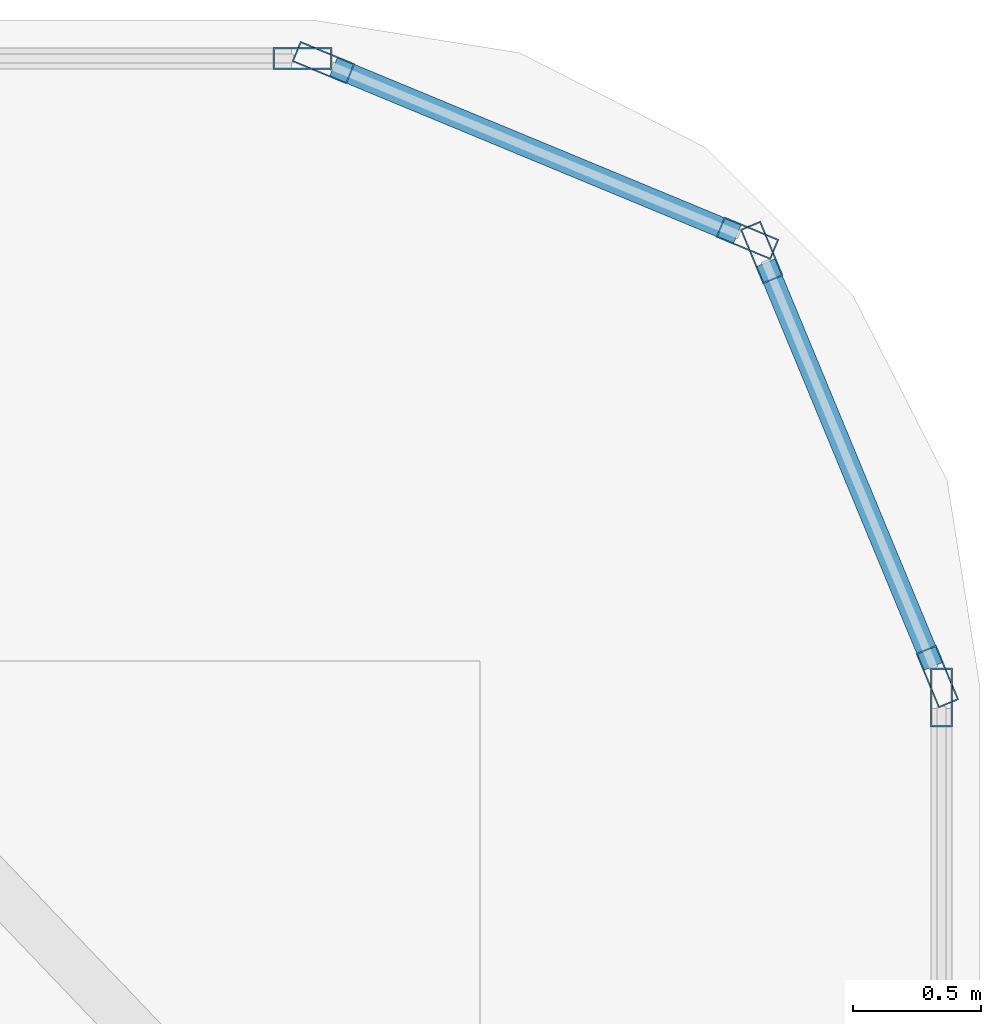
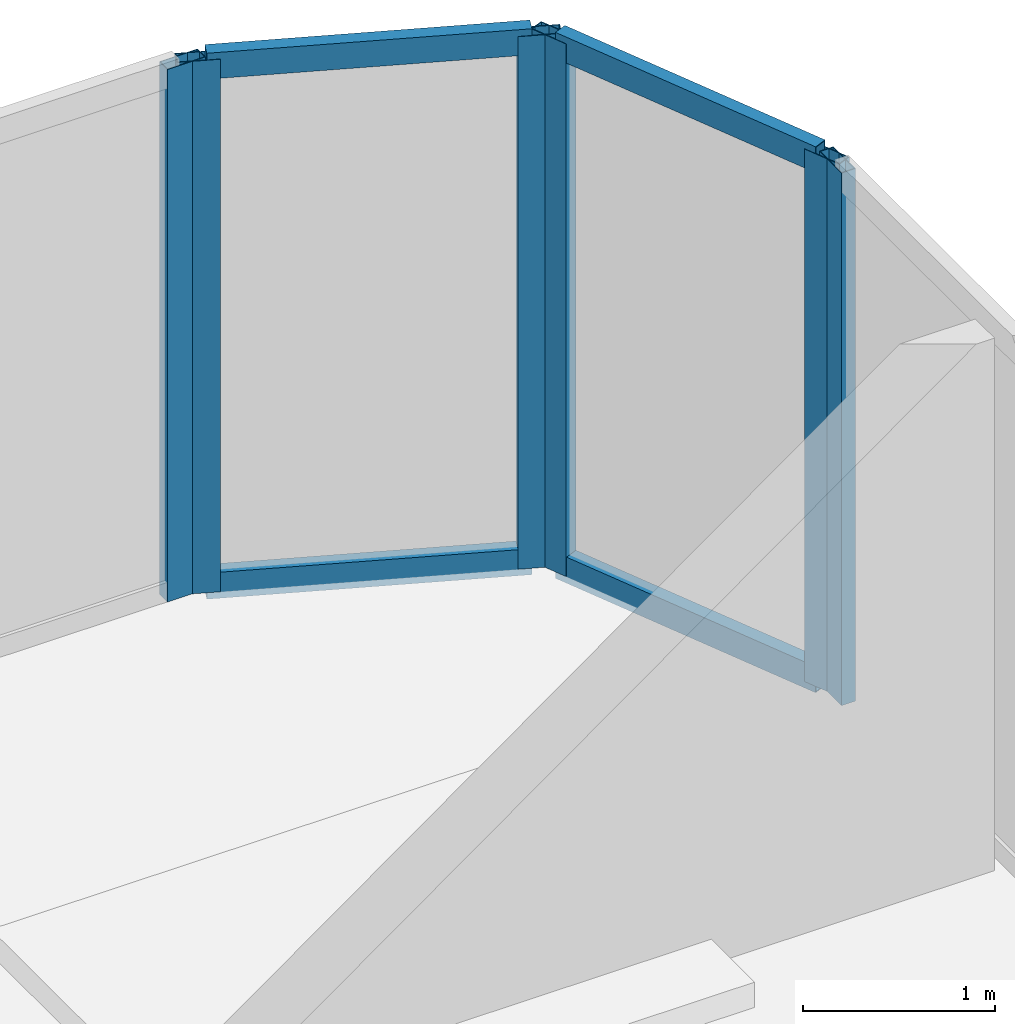
# One storey, part 8 of 11: 10 members, 4 elements without a shape of their own.
"""IFC4 building model written with IfcOpenShell, lengths in metres."""

import ifcopenshell
import ifcopenshell.guid

model = None  # the IFC model being written
_history = None  # IfcOwnerHistory: only IFC2X3 demands one
_inside = {}  # id of a spatial element -> (the spatial element, [elements in it])
_under = {}  # id of a project, library or spatial element -> (it, [spatial elements below it])
_declared = {}  # id of a project -> (the project, [libraries it declares])
_typed = {}  # id of a type object -> (the type object, [elements of that type])
_made_of = {}  # id of a material, layer set ... -> (it, [elements and type objects made of it])


def new_model(schema):
    """Start an empty IFC model of exactly this schema.

    Asked for "IFC4X3", IfcOpenShell would pick the latest addendum, in which some entities
    have other attributes; the version numbers below select the first issue.
    IFC2X3 requires an IfcOwnerHistory on every rooted entity: one is made here for all.
    """
    global model, _history
    if schema == "IFC4X3":
        model = ifcopenshell.file(schema_version=(4, 3, 0, 0))
    else:
        model = ifcopenshell.file(schema=schema)
    _inside.clear()
    _under.clear()
    _declared.clear()
    _typed.clear()
    _made_of.clear()
    _history = None
    if model.schema == "IFC2X3":
        org = make("IfcOrganization", Name="unknown")
        user = make(
            "IfcPersonAndOrganization",
            ThePerson=make("IfcPerson", FamilyName="unknown"),
            TheOrganization=org,
        )
        app = make(
            "IfcApplication",
            ApplicationDeveloper=org,
            Version="unknown",
            ApplicationFullName="unknown",
            ApplicationIdentifier="unknown",
        )
        _history = make(
            "IfcOwnerHistory",
            OwningUser=user,
            OwningApplication=app,
            ChangeAction="ADDED",
            CreationDate=0,
        )
    return model


def make(cls, **values):
    """One entity of the class cls with the attributes given. An attribute that is None is left unset."""
    return model.create_entity(
        cls, **{name: value for name, value in values.items() if value is not None}
    )


def rooted(cls, **values):
    """An entity with a GlobalId (a new one), such as an element, a storey or a relation."""
    return make(cls, GlobalId=ifcopenshell.guid.new(), OwnerHistory=_history, **values)


def si_unit(unit_type, name, prefix=None):
    """IfcSIUnit, for example si_unit("LENGTHUNIT", "METRE", prefix="MILLI")."""
    return make("IfcSIUnit", UnitType=unit_type, Prefix=prefix, Name=name)


def assignment(units):
    """IfcUnitAssignment: the units of a project."""
    return None if units is None else make("IfcUnitAssignment", Units=units)


def point(xyz):
    """IfcCartesianPoint."""
    return None if xyz is None else make("IfcCartesianPoint", Coordinates=xyz)


def direction(xyz):
    """IfcDirection."""
    return None if xyz is None else make("IfcDirection", DirectionRatios=xyz)


def frame(location, z_axis=None, x_axis=None):
    """IfcAxis2Placement3D, a coordinate frame: its origin and axes. An axis left out is left unset."""
    return make(
        "IfcAxis2Placement3D",
        Location=point(location),
        Axis=direction(z_axis),
        RefDirection=direction(x_axis),
    )


def frame_2d(location, x_axis=None):
    """IfcAxis2Placement2D, a coordinate frame in the plane: its origin and x axis."""
    return make(
        "IfcAxis2Placement2D", Location=point(location), RefDirection=direction(x_axis)
    )


def origin():
    """The frame at (0, 0, 0) with its axes left unset."""
    return frame((0.0, 0.0, 0.0))


def origin_2d():
    """The frame at (0, 0) in the plane with its x axis left unset."""
    return frame_2d((0.0, 0.0))


def place(relative_to, where):
    """IfcLocalPlacement: puts the frame where relative to a parent placement (None: the world)."""
    return make(
        "IfcLocalPlacement", PlacementRelTo=relative_to, RelativePlacement=where
    )


def context(
    kind, dimensions, precision=None, world=None, true_north=None, identifier=None
):
    """IfcGeometricRepresentationContext, for example the 3D "Model" context."""
    return make(
        "IfcGeometricRepresentationContext",
        ContextIdentifier=identifier,
        ContextType=kind,
        CoordinateSpaceDimension=dimensions,
        Precision=precision,
        WorldCoordinateSystem=world,
        TrueNorth=true_north,
    )


def subcontext(parent, identifier, kind, view, scale=None):
    """IfcGeometricRepresentationSubContext, for example "Body" below "Model"."""
    return make(
        "IfcGeometricRepresentationSubContext",
        ContextIdentifier=identifier,
        ContextType=kind,
        ParentContext=parent,
        TargetScale=scale,
        TargetView=view,
    )


def project(units=None, contexts=None):
    """IfcProject with its units and contexts."""
    return rooted(
        "IfcProject",
        Name="project",
        RepresentationContexts=contexts,
        UnitsInContext=assignment(units),
    )


def spatial(cls, under=None, at=None, **own):
    """A site, building, storey or space (cls), placed at a placement, below another one or the project."""
    s = rooted(cls, ObjectPlacement=at, **own)
    if under is not None:
        _under.setdefault(under.id(), (under, []))[1].append(s)
    return s


def profile(cls, at=None, kind="AREA", **sizes):
    """A parametric profile (cls). Its sizes go by their IFC names, for example OverallWidth=200.0."""
    return make(cls, ProfileType=kind, Position=at, **sizes)


def hollow_rectangle(**sizes):
    """IfcRectangleHollowProfileDef."""
    return profile("IfcRectangleHollowProfileDef", **sizes)


def extrude(swept, where, along, depth):
    """IfcExtrudedAreaSolid: the profile swept, set in the frame where, extruded along a direction by depth."""
    return make(
        "IfcExtrudedAreaSolid",
        SweptArea=swept,
        Position=where,
        ExtrudedDirection=direction(along),
        Depth=depth,
    )


def shape(context_of_items, identifier, shape_type, items):
    """IfcShapeRepresentation: the items that make up one representation, for example the "Body"."""
    return make(
        "IfcShapeRepresentation",
        ContextOfItems=context_of_items,
        RepresentationIdentifier=identifier,
        RepresentationType=shape_type,
        Items=items,
    )


def source(mapping_origin, context_of_items, identifier, shape_type, items):
    """IfcRepresentationMap: a shape defined once, which mapped items show again and again."""
    return make(
        "IfcRepresentationMap",
        MappingOrigin=mapping_origin,
        MappedRepresentation=shape(context_of_items, identifier, shape_type, items),
    )


def transform(
    local_origin,
    x_axis=None,
    y_axis=None,
    z_axis=None,
    scale=None,
    scale2=None,
    scale3=None,
    uniform=True,
):
    """IfcCartesianTransformationOperator3D, or its non-uniform kind. x_axis, y_axis, z_axis: its Axis1, 2, 3."""
    if uniform:
        return make(
            "IfcCartesianTransformationOperator3D",
            Axis1=direction(x_axis),
            Axis2=direction(y_axis),
            LocalOrigin=point(local_origin),
            Scale=scale,
            Axis3=direction(z_axis),
        )
    return make(
        "IfcCartesianTransformationOperator3DnonUniform",
        Axis1=direction(x_axis),
        Axis2=direction(y_axis),
        LocalOrigin=point(local_origin),
        Scale=scale,
        Axis3=direction(z_axis),
        Scale2=scale2,
        Scale3=scale3,
    )


def mapped(mapping_source, mapping_target):
    """IfcMappedItem: shows the shape of a source again, moved by a transform."""
    return make(
        "IfcMappedItem", MappingSource=mapping_source, MappingTarget=mapping_target
    )


def material(Name=None, Category=None):
    """IfcMaterial."""
    return make("IfcMaterial", Name=Name, Category=Category)


def layer(
    of_material, thickness, ventilated=None, Name=None, Category=None, Priority=None
):
    """IfcMaterialLayer: one layer of a wall or slab, of a material (None: an air gap)."""
    return make(
        "IfcMaterialLayer",
        Material=of_material,
        LayerThickness=thickness,
        IsVentilated=ventilated,
        Name=Name,
        Category=Category,
        Priority=Priority,
    )


def layer_set(layers, Name=None):
    """IfcMaterialLayerSet."""
    return make("IfcMaterialLayerSet", MaterialLayers=layers, LayerSetName=Name)


def material_profile(
    of_material, cross_section, Name=None, Category=None, Priority=None
):
    """IfcMaterialProfile: a cross section and its material."""
    return make(
        "IfcMaterialProfile",
        Name=Name,
        Material=of_material,
        Profile=cross_section,
        Priority=Priority,
        Category=Category,
    )


def profile_set(profiles, Name=None, composite=None):
    """IfcMaterialProfileSet."""
    return make(
        "IfcMaterialProfileSet",
        Name=Name,
        MaterialProfiles=profiles,
        CompositeProfile=composite,
    )


def made_of(thing, what):
    """Note that an element or type object is made of a material, layer set ...; save() writes the relation."""
    if what is not None:
        _made_of.setdefault(what.id(), (what, []))[1].append(thing)
    return thing


def type_object(cls, material=None, **own):
    """A type object (cls), such as IfcWallType, which elements share."""
    return made_of(rooted(cls, **own), material)


def element(
    cls,
    number,
    at=None,
    inside=None,
    cuts=None,
    type_object=None,
    material=None,
    context=None,
    identifier="Body",
    shape_type=None,
    held_by="IfcProductDefinitionShape",
    body=None,
    shapes=None,
    **own,
):
    """One element of the class cls, such as IfcWall. Its Tag is "e" and its number.

    at: its placement. inside: the storey or other place that contains it. cuts: it is an
    opening in that element (IfcRelVoidsElement). A single representation is given by context,
    identifier, shape_type and body (its items); several are given by shapes. held_by: the class
    of the entity that holds the representations. save() writes the other relations.
    """
    e = rooted(cls, Tag="e%d" % number, ObjectPlacement=at, **own)
    if body is not None:
        shapes = [shape(context, identifier, shape_type, body)]
    if shapes is not None:
        e.Representation = make(held_by, Representations=shapes)
    if inside is not None:
        _inside.setdefault(inside.id(), (inside, []))[1].append(e)
    if cuts is not None:
        rooted(
            "IfcRelVoidsElement", RelatingBuildingElement=cuts, RelatedOpeningElement=e
        )
    if type_object is not None:
        _typed.setdefault(type_object.id(), (type_object, []))[1].append(e)
    return made_of(e, material)


def aggregate(whole, parts):
    """IfcRelAggregates: a whole, such as a stair, and the parts it consists of."""
    return rooted("IfcRelAggregates", RelatingObject=whole, RelatedObjects=parts)


def save(model, path):
    """Write the relations noted so far, then the file.

    IfcRelAggregates (storeys below a building ...), IfcRelContainedInSpatialStructure (elements
    in a storey), IfcRelDefinesByType, IfcRelAssociatesMaterial and IfcRelDeclares: one each for
    every whole, place, type object, material and project.
    """
    for whole, parts in _under.values():
        aggregate(whole, parts)
    for where, things in _inside.values():
        rooted(
            "IfcRelContainedInSpatialStructure",
            RelatedElements=things,
            RelatingStructure=where,
        )
    for kind, things in _typed.values():
        rooted("IfcRelDefinesByType", RelatedObjects=things, RelatingType=kind)
    for what, things in _made_of.values():
        rooted("IfcRelAssociatesMaterial", RelatedObjects=things, RelatingMaterial=what)
    for by, libraries in _declared.values():
        rooted("IfcRelDeclares", RelatingContext=by, RelatedDefinitions=libraries)
    model.write(path)


model = new_model("IFC4")

# Units and contexts
model_context = context("Model", 3, precision=1e-05, world=origin(), true_north=direction((0.0, 1.0)))
body_context = subcontext(model_context, "Body", "Model", "MODEL_VIEW")
ifc_project = project(units=[si_unit("LENGTHUNIT", "METRE"), si_unit("AREAUNIT", "SQUARE_METRE"), si_unit("VOLUMEUNIT", "CUBIC_METRE"), si_unit("PLANEANGLEUNIT", "RADIAN"), si_unit("MASSUNIT", "GRAM", prefix="KILO")], contexts=[model_context])

# Site, building, storey
site_placement = place(None, origin())
site = spatial("IfcSite", under=ifc_project, at=site_placement, CompositionType="ELEMENT")
building_placement = place(site_placement, origin())
building = spatial("IfcBuilding", under=site, at=building_placement, Name="Kolveth Station Tower", CompositionType="ELEMENT")
storey_placement = place(building_placement, frame((0.0, 0.0, 289.300048828125)))
storey = spatial("IfcBuildingStorey", under=building, at=storey_placement, Name="L83", CompositionType="ELEMENT", Elevation=289.300048828125)

# Curtain wall, member
ifc_material_1 = material(Name="Black anodized aluminium 6063-T6 and dark crown glass", Category="aluminium")
ifc_layer = layer(ifc_material_1, 0.169921875)
ifc_layer_set = layer_set([ifc_layer], Name="Black anodized aluminium 6063-T6 and dark crown glass")
curtain_wall_type = type_object("IfcCurtainWallType", Name="CurtainWall_CW-CR", PredefinedType="NOTDEFINED", material=ifc_layer_set)
curtain_wall_1_placement = place(storey_placement, origin())
curtain_wall_1 = element("IfcCurtainWall", 1, at=curtain_wall_1_placement, inside=storey, type_object=curtain_wall_type, Name="L83 Stepped Crown Curtain Wall 3", PredefinedType="NOTDEFINED")
ifc_material_2 = material(Name="Black anodized aluminium 6063-T6", Category="aluminium")
ifc_material_profile_1 = material_profile(ifc_material_2, hollow_rectangle(XDim=0.0849609375, YDim=0.22998046875, WallThickness=0.0048828125, at=origin_2d()), Name="ALU-85x230x5")
ifc_profile_set_1 = profile_set([ifc_material_profile_1], Name="Black anodized aluminium 6063-T6")
member_type_1 = type_object("IfcMemberType", Name="Mullion_ML-CR", PredefinedType="MULLION", material=ifc_profile_set_1)
shared_shape_1 = source(origin(), body_context, "Body", "SweptSolid", [
    extrude(hollow_rectangle(XDim=0.0849609375, YDim=0.22998046875, WallThickness=0.0048828125, at=origin_2d()), origin(), (0.0, 0.0, 1.0), 3.3798828125),
])
member_1_placement = place(storey_placement, frame((34.64990234375, 32.657470703125, 0.0), z_axis=(0.0, 0.0, 1.0), x_axis=(-1.0, 0.0, 0.0)))
member_1 = element("IfcMember", 2, at=member_1_placement, type_object=member_type_1, Name="CW-CR mullion 2", PredefinedType="MULLION", context=body_context, shape_type="MappedRepresentation", body=[
    mapped(shared_shape_1, transform((0.0, 0.0, 0.0), x_axis=(1.0, 0.0, 0.0), y_axis=(0.0, 1.0, 0.0), z_axis=(0.0, 0.0, 1.0), scale=1.0)),
])
aggregate(curtain_wall_1, [member_1])

# Curtain wall, members
curtain_wall_2_placement = place(storey_placement, origin())
curtain_wall_2 = element("IfcCurtainWall", 3, at=curtain_wall_2_placement, inside=storey, type_object=curtain_wall_type, Name="L83 Stepped Crown Curtain Wall 4", PredefinedType="NOTDEFINED")
member_2_placement = place(storey_placement, frame((34.6337890625, 32.7392578125, 0.0), z_axis=(0.0, 0.0, 1.0), x_axis=(-0.923876435676, -0.382690908701, 0.0)))
member_2 = element("IfcMember", 4, at=member_2_placement, type_object=member_type_1, Name="CW-CR mullion 1", PredefinedType="MULLION", context=body_context, shape_type="MappedRepresentation", body=[
    mapped(shared_shape_1, transform((0.0, 0.0, 0.0), x_axis=(1.0, 0.0, 0.0), y_axis=(0.0, 1.0, 0.0), z_axis=(0.0, 0.0, 1.0), scale=1.0)),
])
member_3_placement = place(storey_placement, frame((33.94873046875, 34.39306640625, 0.0), z_axis=(0.0, 0.0, 1.0), x_axis=(-0.923876435676, -0.382690908701, 0.0)))
member_3 = element("IfcMember", 5, at=member_3_placement, type_object=member_type_1, Name="CW-CR mullion 2", PredefinedType="MULLION", context=body_context, shape_type="MappedRepresentation", body=[
    mapped(shared_shape_1, transform((0.0, 0.0, 0.0), x_axis=(1.0, 0.0, 0.0), y_axis=(0.0, 1.0, 0.0), z_axis=(0.0, 0.0, 1.0), scale=1.0)),
])

curtain_wall_3_placement = place(storey_placement, origin())
curtain_wall_3 = element("IfcCurtainWall", 6, at=curtain_wall_3_placement, inside=storey, type_object=curtain_wall_type, Name="L83 Stepped Crown Curtain Wall 5", PredefinedType="NOTDEFINED")
member_4_placement = place(storey_placement, frame((33.89306640625, 34.44873046875, 0.0), z_axis=(0.0, 0.0, 1.0), x_axis=(-0.382690908701, -0.923876435676, 0.0)))
member_4 = element("IfcMember", 7, at=member_4_placement, type_object=member_type_1, Name="CW-CR mullion 1", PredefinedType="MULLION", context=body_context, shape_type="MappedRepresentation", body=[
    mapped(shared_shape_1, transform((0.0, 0.0, 0.0), x_axis=(1.0, 0.0, 0.0), y_axis=(0.0, 1.0, 0.0), z_axis=(0.0, 0.0, 1.0), scale=1.0)),
])
member_5_placement = place(storey_placement, frame((32.2392578125, 35.1337890625, 0.0), z_axis=(0.0, 0.0, 1.0), x_axis=(-0.382690908701, -0.923876435676, 0.0)))
member_5 = element("IfcMember", 8, at=member_5_placement, type_object=member_type_1, Name="CW-CR mullion 2", PredefinedType="MULLION", context=body_context, shape_type="MappedRepresentation", body=[
    mapped(shared_shape_1, transform((0.0, 0.0, 0.0), x_axis=(1.0, 0.0, 0.0), y_axis=(0.0, 1.0, 0.0), z_axis=(0.0, 0.0, 1.0), scale=1.0)),
])

# Curtain wall, member
curtain_wall_4_placement = place(storey_placement, origin())
curtain_wall_4 = element("IfcCurtainWall", 9, at=curtain_wall_4_placement, inside=storey, type_object=curtain_wall_type, Name="L83 Stepped Crown Curtain Wall 6", PredefinedType="NOTDEFINED")
member_6_placement = place(storey_placement, frame((32.157470703125, 35.14990234375, 0.0), z_axis=(0.0, 0.0, 1.0), x_axis=(0.0, -1.0, 0.0)))
member_6 = element("IfcMember", 10, at=member_6_placement, type_object=member_type_1, Name="CW-CR mullion 1", PredefinedType="MULLION", context=body_context, shape_type="MappedRepresentation", body=[
    mapped(shared_shape_1, transform((0.0, 0.0, 0.0), x_axis=(1.0, 0.0, 0.0), y_axis=(0.0, 1.0, 0.0), z_axis=(0.0, 0.0, 1.0), scale=1.0)),
])
aggregate(curtain_wall_4, [member_6])

# Member
ifc_material_profile_2 = material_profile(ifc_material_2, hollow_rectangle(XDim=0.080078125, YDim=0.1650390625, WallThickness=0.0048828125, at=origin_2d()), Name="ALU-80x165x5")
ifc_profile_set_2 = profile_set([ifc_material_profile_2], Name="Black anodized aluminium 6063-T6")
member_type_2 = type_object("IfcMemberType", Name="Transom_TR-CR", PredefinedType="USERDEFINED", material=ifc_profile_set_2)
shared_shape_2 = source(origin(), body_context, "Body", "SweptSolid", [
    extrude(hollow_rectangle(XDim=0.080078125, YDim=0.1650390625, WallThickness=0.0048828125, at=origin_2d()), origin(), (0.0, 0.0, 1.0), 1.705078125),
])
member_7_placement = place(storey_placement, frame((34.617431640625, 32.778564453125, 0.0400390625), z_axis=(-0.38274381958, 0.923854516996, 0.0), x_axis=(-0.923854516996, -0.38274381958, 0.0)))
member_7 = element("IfcMember", 11, at=member_7_placement, type_object=member_type_2, Name="CW-CR transom 1.1", ObjectType="TRANSOM", PredefinedType="USERDEFINED", context=body_context, shape_type="MappedRepresentation", body=[
    mapped(shared_shape_2, transform((0.0, 0.0, 0.0), x_axis=(1.0, 0.0, 0.0), y_axis=(0.0, 1.0, 0.0), z_axis=(0.0, 0.0, 1.0), scale=1.0)),
])

member_8_placement = place(storey_placement, frame((34.617431640625, 32.778564453125, 3.33984375), z_axis=(-0.38274381958, 0.923854516996, 0.0), x_axis=(-0.923854516996, -0.38274381958, 0.0)))
member_8 = element("IfcMember", 12, at=member_8_placement, type_object=member_type_2, Name="CW-CR transom 1.2", ObjectType="TRANSOM", PredefinedType="USERDEFINED", context=body_context, shape_type="MappedRepresentation", body=[
    mapped(shared_shape_2, transform((0.0, 0.0, 0.0), x_axis=(1.0, 0.0, 0.0), y_axis=(0.0, 1.0, 0.0), z_axis=(0.0, 0.0, 1.0), scale=1.0)),
])

aggregate(curtain_wall_2, [member_2, member_3, member_7, member_8])

member_9_placement = place(storey_placement, frame((33.853759765625, 34.46484375, 0.0400390625), z_axis=(-0.923854516996, 0.38274381958, 0.0), x_axis=(-0.38274381958, -0.923854516996, 0.0)))
member_9 = element("IfcMember", 13, at=member_9_placement, type_object=member_type_2, Name="CW-CR transom 1.1", ObjectType="TRANSOM", PredefinedType="USERDEFINED", context=body_context, shape_type="MappedRepresentation", body=[
    mapped(shared_shape_2, transform((0.0, 0.0, 0.0), x_axis=(1.0, 0.0, 0.0), y_axis=(0.0, 1.0, 0.0), z_axis=(0.0, 0.0, 1.0), scale=1.0)),
])

member_10_placement = place(storey_placement, frame((33.853759765625, 34.46484375, 3.33984375), z_axis=(-0.923854516996, 0.38274381958, 0.0), x_axis=(-0.38274381958, -0.923854516996, 0.0)))
member_10 = element("IfcMember", 14, at=member_10_placement, type_object=member_type_2, Name="CW-CR transom 1.2", ObjectType="TRANSOM", PredefinedType="USERDEFINED", context=body_context, shape_type="MappedRepresentation", body=[
    mapped(shared_shape_2, transform((0.0, 0.0, 0.0), x_axis=(1.0, 0.0, 0.0), y_axis=(0.0, 1.0, 0.0), z_axis=(0.0, 0.0, 1.0), scale=1.0)),
])

aggregate(curtain_wall_3, [member_4, member_5, member_9, member_10])

save(model, "model.ifc")
